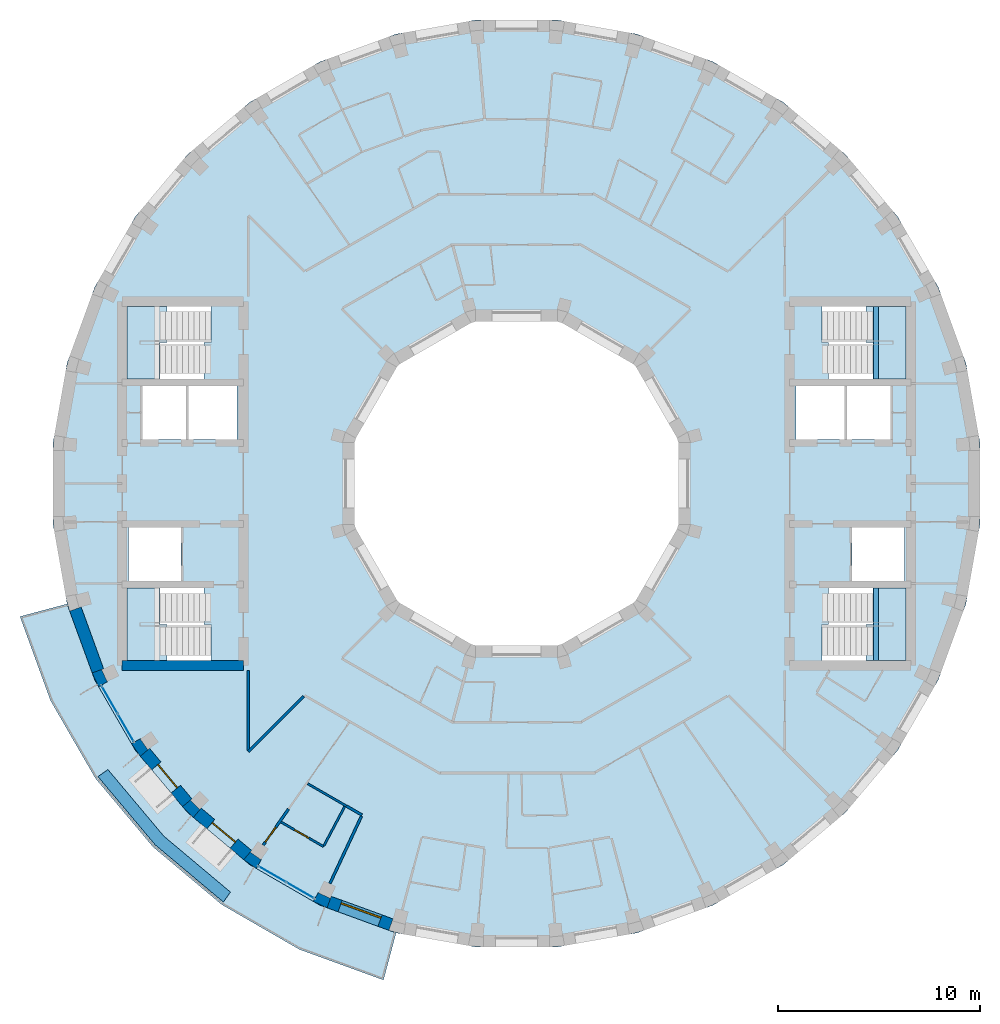
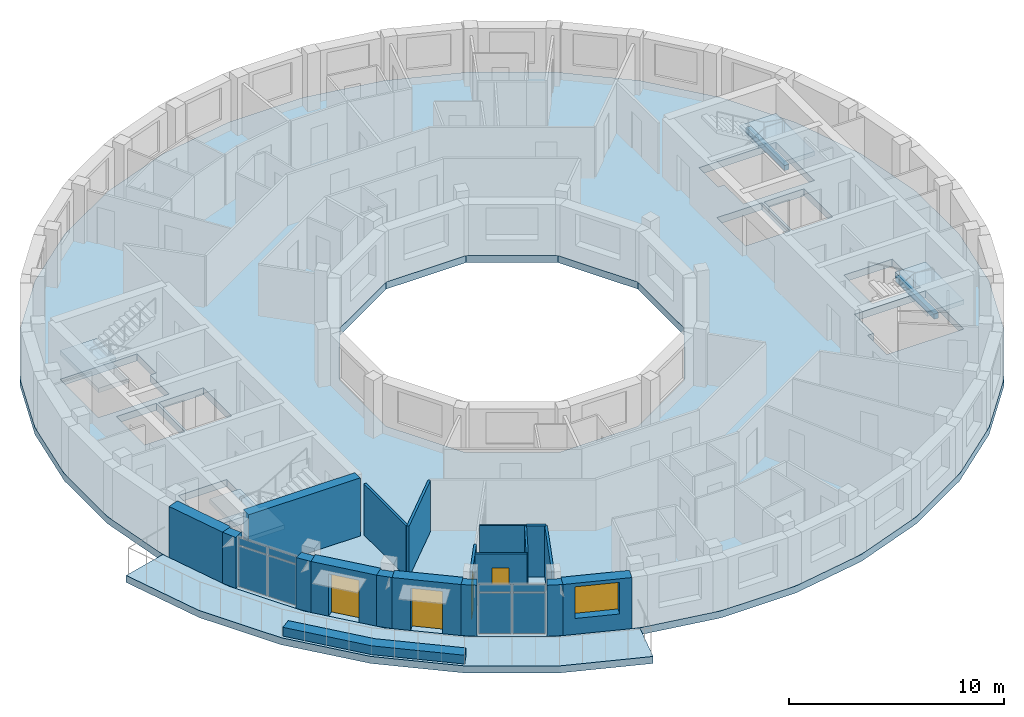
# One storey, part 3 of 12: 19 walls, 8 plates, 6 slabs, 4 doors, 2 beams, 1 window, 5 openings, 6 elements without a shape of their own.
"""IFC4 building model written with IfcOpenShell, lengths in metres."""

from ifc_helpers import new_model, si_unit, direction, frame, frame_2d, origin, origin_2d, place, context, subcontext, project, spatial, polyline, rectangle, outline, extrude, material, layer, layer_set, material_profile, profile_set, type_object, element, fill, aggregate, save


model = new_model("IFC4")

# Units and contexts
model_context = context("Model", 3, precision=1e-05, world=origin(), true_north=direction((0.0, 1.0)))
body_context = subcontext(model_context, "Body", "Model", "MODEL_VIEW")
ifc_project = project(units=[si_unit("LENGTHUNIT", "METRE"), si_unit("AREAUNIT", "SQUARE_METRE"), si_unit("VOLUMEUNIT", "CUBIC_METRE"), si_unit("PLANEANGLEUNIT", "RADIAN"), si_unit("MASSUNIT", "GRAM", prefix="KILO")], contexts=[model_context])

# Site, building, storey
site_placement = place(None, origin())
site = spatial("IfcSite", under=ifc_project, at=site_placement, CompositionType="ELEMENT")
building_placement = place(site_placement, origin())
building = spatial("IfcBuilding", under=site, at=building_placement, Name="Saqina Gate Tower", CompositionType="ELEMENT")
storey_placement = place(building_placement, frame((0.0, 0.0, 262.699951171875)))
storey = spatial("IfcBuildingStorey", under=building, at=storey_placement, Name="L75", CompositionType="ELEMENT", Elevation=262.699951171875)

# Beams
ifc_material_1 = material(Name="Concrete C40/50", Category="concrete")
ifc_material_profile = material_profile(ifc_material_1, rectangle(XDim=0.25, YDim=0.300048828125, at=origin_2d()), Name="STAIR LANDING BEAM")
ifc_profile_set = profile_set([ifc_material_profile], Name="Concrete C40/50")
beam_type = type_object("IfcBeamType", Name="STAIR LANDING BEAM", PredefinedType="BEAM", material=ifc_profile_set)
for number, where, z_axis, x_axis, name in (
    (1, (17.77001953125, 5.175048828125, 1.25), (0.0, 1.0, 0.0), (-1.0, 0.0, 0.0), "EXIT STAIR 1 LANDING BEAM"),
    (2, (17.77001953125, -8.75, 1.25), (0.0, 1.0, 0.0), (-1.0, 0.0, 0.0), "EXIT STAIR 2 LANDING BEAM"),
):
    element("IfcBeam", number, at=place(storey_placement, frame(where, z_axis=z_axis, x_axis=x_axis)), inside=storey, type_object=beam_type, Name=name, PredefinedType="BEAM", context=body_context, shape_type="SweptSolid", body=[
        extrude(rectangle(XDim=0.25, YDim=0.300048828125, at=origin_2d()), origin(), (0.0, 0.0, 1.0), 3.574951171875),
    ])

# Curtain wall, plates
ifc_material_2 = material(Name="Aluminium glazing", Category="aluminium")
ifc_layer_1 = layer(ifc_material_2, 0.159912109375)
ifc_layer_set_1 = layer_set([ifc_layer_1], Name="CWT-4")
curtain_wall_type = type_object("IfcCurtainWallType", Name="CWT-4", PredefinedType="NOTDEFINED", material=ifc_layer_set_1)
curtain_wall_1_placement = place(storey_placement, origin())
curtain_wall_1 = element("IfcCurtainWall", 3, at=curtain_wall_1_placement, inside=storey, type_object=curtain_wall_type, Name="Terrace lounge glazing facet 21", PredefinedType="NOTDEFINED")
ifc_material_3 = material(Name="Glass", Category="glass")
ifc_layer_2 = layer(ifc_material_3, 0.028076171875)
ifc_layer_set_2 = layer_set([ifc_layer_2], Name="CWT-4P")
plate_type = type_object("IfcPlateType", Name="CWT-4P", PredefinedType="CURTAIN_PANEL", material=ifc_layer_set_2)
plate_1_placement = place(storey_placement, frame((-20.11181640625, -10.690185546875, 0.06005859375), z_axis=(0.0, 0.0, 1.0), x_axis=(0.499982449212, -0.8660355365, 0.0)))
plate_1 = element("IfcPlate", 4, at=plate_1_placement, type_object=plate_type, Name="CW4-21 panel 1.1", PredefinedType="CURTAIN_PANEL", context=body_context, shape_type="SweptSolid", body=[
    extrude(rectangle(XDim=1.535888671875, YDim=0.028076171875, at=origin_2d()), origin(), (0.0, 0.0, 1.0), 2.31005859375),
])
plate_2_placement = place(storey_placement, frame((-20.11181640625, -10.690185546875, 2.43017578125), z_axis=(0.0, 0.0, 1.0), x_axis=(0.499982449212, -0.8660355365, 0.0)))
plate_2 = element("IfcPlate", 5, at=plate_2_placement, type_object=plate_type, Name="CW4-21 panel 1.2", PredefinedType="CURTAIN_PANEL", context=body_context, shape_type="SweptSolid", body=[
    extrude(rectangle(XDim=1.535888671875, YDim=0.028076171875, at=origin_2d()), origin(), (0.0, 0.0, 1.0), 0.409912109375),
])
plate_3_placement = place(storey_placement, frame((-19.31396484375, -12.072265625, 0.06005859375), z_axis=(0.0, 0.0, 1.0), x_axis=(0.499982449212, -0.8660355365, 0.0)))
plate_3 = element("IfcPlate", 6, at=plate_3_placement, type_object=plate_type, Name="CW4-21 panel 2.1", PredefinedType="CURTAIN_PANEL", context=body_context, shape_type="SweptSolid", body=[
    extrude(rectangle(XDim=1.535888671875, YDim=0.028076171875, at=origin_2d()), origin(), (0.0, 0.0, 1.0), 2.31005859375),
])
plate_4_placement = place(storey_placement, frame((-19.31396484375, -12.072265625, 2.43017578125), z_axis=(0.0, 0.0, 1.0), x_axis=(0.499982449212, -0.8660355365, 0.0)))
plate_4 = element("IfcPlate", 7, at=plate_4_placement, type_object=plate_type, Name="CW4-21 panel 2.2", PredefinedType="CURTAIN_PANEL", context=body_context, shape_type="SweptSolid", body=[
    extrude(rectangle(XDim=1.535888671875, YDim=0.028076171875, at=origin_2d()), origin(), (0.0, 0.0, 1.0), 0.409912109375),
])
aggregate(curtain_wall_1, [plate_1, plate_2, plate_3, plate_4])

curtain_wall_2_placement = place(storey_placement, origin())
curtain_wall_2 = element("IfcCurtainWall", 8, at=curtain_wall_2_placement, inside=storey, type_object=curtain_wall_type, Name="Terrace lounge glazing facet 24", PredefinedType="NOTDEFINED")
plate_5_placement = place(storey_placement, frame((-12.072265625, -19.31396484375, 0.06005859375), z_axis=(0.0, 0.0, 1.0), x_axis=(0.8660355365, -0.499982449212, 0.0)))
plate_5 = element("IfcPlate", 9, at=plate_5_placement, type_object=plate_type, Name="CW4-24 panel 1.1", PredefinedType="CURTAIN_PANEL", context=body_context, shape_type="SweptSolid", body=[
    extrude(rectangle(XDim=1.535888671875, YDim=0.028076171875, at=origin_2d()), origin(), (0.0, 0.0, 1.0), 2.31005859375),
])
plate_6_placement = place(storey_placement, frame((-12.072265625, -19.31396484375, 2.43017578125), z_axis=(0.0, 0.0, 1.0), x_axis=(0.8660355365, -0.499982449212, 0.0)))
plate_6 = element("IfcPlate", 10, at=plate_6_placement, type_object=plate_type, Name="CW4-24 panel 1.2", PredefinedType="CURTAIN_PANEL", context=body_context, shape_type="SweptSolid", body=[
    extrude(rectangle(XDim=1.535888671875, YDim=0.028076171875, at=origin_2d()), origin(), (0.0, 0.0, 1.0), 0.409912109375),
])
plate_7_placement = place(storey_placement, frame((-10.690185546875, -20.11181640625, 0.06005859375), z_axis=(0.0, 0.0, 1.0), x_axis=(0.8660355365, -0.499982449212, 0.0)))
plate_7 = element("IfcPlate", 11, at=plate_7_placement, type_object=plate_type, Name="CW4-24 panel 2.1", PredefinedType="CURTAIN_PANEL", context=body_context, shape_type="SweptSolid", body=[
    extrude(rectangle(XDim=1.535888671875, YDim=0.028076171875, at=origin_2d()), origin(), (0.0, 0.0, 1.0), 2.31005859375),
])
plate_8_placement = place(storey_placement, frame((-10.690185546875, -20.11181640625, 2.43017578125), z_axis=(0.0, 0.0, 1.0), x_axis=(0.8660355365, -0.499982449212, 0.0)))
plate_8 = element("IfcPlate", 12, at=plate_8_placement, type_object=plate_type, Name="CW4-24 panel 2.2", PredefinedType="CURTAIN_PANEL", context=body_context, shape_type="SweptSolid", body=[
    extrude(rectangle(XDim=1.535888671875, YDim=0.028076171875, at=origin_2d()), origin(), (0.0, 0.0, 1.0), 0.409912109375),
])
aggregate(curtain_wall_2, [plate_5, plate_6, plate_7, plate_8])

# Stair, slab
ifc_material_4 = material(Name="Concrete C40/50", Category="concrete")
stair_type = type_object("IfcStairType", Name="EXIT STAIR", PredefinedType="HALF_TURN_STAIR", material=ifc_material_4)
stair_1_placement = place(storey_placement, origin())
stair_1 = element("IfcStair", 13, at=stair_1_placement, inside=storey, type_object=stair_type, Name="EXIT STAIR 1", PredefinedType="HALF_TURN_STAIR")
ifc_material_5 = material(Name="Concrete C40/50", Category="concrete")
ifc_layer_3 = layer(ifc_material_5, 0.25)
ifc_layer_set_3 = layer_set([ifc_layer_3], Name="Concrete C40/50")
slab_type_1 = type_object("IfcSlabType", Name="EXIT STAIR LANDING", PredefinedType="LANDING", material=ifc_layer_set_3)
slab_1_placement = place(storey_placement, frame((0.0, 0.0, 1.400146484375)))
slab_1 = element("IfcSlab", 14, at=slab_1_placement, type_object=slab_type_1, Name="EXIT STAIR 1 LANDING 1", PredefinedType="LANDING", context=body_context, shape_type="SweptSolid", body=[
    extrude(outline(polyline([(19.25, 8.75), (19.25, 5.175048828125), (17.614990234375, 5.175048828125), (17.614990234375, 6.96240234375), (17.284423828125, 6.96240234375), (17.284423828125, 8.75), (17.614990234375, 8.75), (17.6201171875, 8.75), (19.25, 8.75)])), origin(), (0.0, 0.0, 1.0), 0.25),
])
aggregate(stair_1, [slab_1])

stair_2_placement = place(storey_placement, origin())
stair_2 = element("IfcStair", 15, at=stair_2_placement, inside=storey, type_object=stair_type, Name="EXIT STAIR 2", PredefinedType="HALF_TURN_STAIR")
slab_2_placement = place(storey_placement, frame((0.0, 0.0, 1.400146484375)))
slab_2 = element("IfcSlab", 16, at=slab_2_placement, type_object=slab_type_1, Name="EXIT STAIR 2 LANDING 1", PredefinedType="LANDING", context=body_context, shape_type="SweptSolid", body=[
    extrude(outline(polyline([(17.284423828125, -8.75), (17.284423828125, -6.96240234375), (17.614990234375, -6.96240234375), (17.614990234375, -5.175048828125), (19.25, -5.175048828125), (19.25, -8.75), (17.6201171875, -8.75), (17.614990234375, -8.75), (17.284423828125, -8.75)])), origin(), (0.0, 0.0, 1.0), 0.25),
])
aggregate(stair_2, [slab_2])

stair_3_placement = place(storey_placement, origin())
stair_3 = element("IfcStair", 17, at=stair_3_placement, inside=storey, type_object=stair_type, Name="EXIT STAIR 3", PredefinedType="HALF_TURN_STAIR")
slab_3_placement = place(storey_placement, frame((0.0, 0.0, 1.400146484375)))
slab_3 = element("IfcSlab", 18, at=slab_3_placement, type_object=slab_type_1, Name="EXIT STAIR 3 LANDING 1", PredefinedType="LANDING", context=body_context, shape_type="SweptSolid", body=[
    extrude(outline(polyline([(-17.614990234375, 5.175048828125), (-19.25, 5.175048828125), (-19.25, 8.75), (-17.6201171875, 8.75), (-17.614990234375, 8.75), (-17.284423828125, 8.75), (-17.284423828125, 6.96240234375), (-17.614990234375, 6.96240234375), (-17.614990234375, 5.175048828125)])), origin(), (0.0, 0.0, 1.0), 0.25),
])
aggregate(stair_3, [slab_3])

stair_4_placement = place(storey_placement, origin())
stair_4 = element("IfcStair", 19, at=stair_4_placement, inside=storey, type_object=stair_type, Name="EXIT STAIR 4", PredefinedType="HALF_TURN_STAIR")
slab_4_placement = place(storey_placement, frame((0.0, 0.0, 1.400146484375)))
slab_4 = element("IfcSlab", 20, at=slab_4_placement, type_object=slab_type_1, Name="EXIT STAIR 4 LANDING 1", PredefinedType="LANDING", context=body_context, shape_type="SweptSolid", body=[
    extrude(outline(polyline([(-17.284423828125, -6.96240234375), (-17.284423828125, -8.75), (-17.614990234375, -8.75), (-17.6201171875, -8.75), (-19.25, -8.75), (-19.25, -5.175048828125), (-17.614990234375, -5.175048828125), (-17.614990234375, -6.96240234375), (-17.284423828125, -6.96240234375)])), origin(), (0.0, 0.0, 1.0), 0.25),
])
aggregate(stair_4, [slab_4])

# Slabs
ifc_material_6 = material(Name="Concrete C40/50", Category="concrete")
ifc_layer_4 = layer(ifc_material_6, 0.39990234375)
ifc_layer_set_4 = layer_set([ifc_layer_4], Name="Concrete C40/50")
slab_type_2 = type_object("IfcSlabType", Name="STR-POST-TENSIONED FLAT PLATE FLOOR-400", PredefinedType="FLOOR", material=ifc_layer_set_4)
slab_5_placement = place(storey_placement, frame((0.0, 0.0, -0.39990234375)))
element("IfcSlab", 21, at=slab_5_placement, inside=storey, type_object=slab_type_2, Name="L75-SLB01", PredefinedType="FLOOR", context=body_context, shape_type="SweptSolid", body=[
    extrude(outline(polyline([(22.21630859375, -5.952880859375), (22.91259765625, -2.004638671875), (22.91259765625, 2.004638671875), (22.21630859375, 5.952880859375), (20.844970703125, 9.72021484375), (18.840576171875, 13.192138671875), (16.263427734375, 16.263427734375), (13.192138671875, 18.840576171875), (9.72021484375, 20.844970703125), (5.952880859375, 22.21630859375), (2.004638671875, 22.91259765625), (-2.004638671875, 22.91259765625), (-5.952880859375, 22.21630859375), (-9.72021484375, 20.844970703125), (-13.192138671875, 18.840576171875), (-16.263427734375, 16.263427734375), (-18.840576171875, 13.192138671875), (-20.844970703125, 9.72021484375), (-22.21630859375, 5.952880859375), (-22.91259765625, 2.004638671875), (-22.91259765625, -2.004638671875), (-22.21630859375, -5.952880859375), (-20.844970703125, -9.72021484375), (-18.840576171875, -13.192138671875), (-16.263427734375, -16.263427734375), (-13.192138671875, -18.840576171875), (-9.72021484375, -20.844970703125), (-5.952880859375, -22.21630859375), (-2.004638671875, -22.91259765625), (2.004638671875, -22.91259765625), (5.952880859375, -22.21630859375), (9.72021484375, -20.844970703125), (13.192138671875, -18.840576171875), (16.263427734375, -16.263427734375), (18.840576171875, -13.192138671875), (20.844970703125, -9.72021484375), (22.21630859375, -5.952880859375)]), holes=[polyline([(2.1435546875, 8.0), (5.8564453125, 5.8564453125), (8.0, 2.1435546875), (8.0, -2.1435546875), (5.8564453125, -5.8564453125), (2.1435546875, -8.0), (-2.1435546875, -8.0), (-5.8564453125, -5.8564453125), (-8.0, -2.1435546875), (-8.0, 2.1435546875), (-5.8564453125, 5.8564453125), (-2.1435546875, 8.0), (2.1435546875, 8.0)]), polyline([(-15.10498046875, -8.75), (-19.25, -8.75), (-19.25, -6.96240234375), (-19.25, -5.175048828125), (-15.435546875, -5.175048828125), (-15.435546875, -6.96240234375), (-15.10498046875, -6.96240234375), (-15.10498046875, -8.75)]), polyline([(-16.590087890625, -2.175048828125), (-16.590087890625, -4.824951171875), (-19.18994140625, -4.824951171875), (-19.18994140625, -2.175048828125), (-16.590087890625, -2.175048828125)]), polyline([(-16.340087890625, 4.824951171875), (-16.340087890625, 2.175048828125), (-18.5, 2.175048828125), (-18.5, 4.824951171875), (-16.340087890625, 4.824951171875)]), polyline([(-13.81005859375, 4.824951171875), (-13.81005859375, 2.175048828125), (-16.219970703125, 2.175048828125), (-16.219970703125, 4.824951171875), (-13.81005859375, 4.824951171875)]), polyline([(-19.25, 6.96240234375), (-19.25, 8.75), (-15.10498046875, 8.75), (-15.10498046875, 6.96240234375), (-15.435546875, 6.96240234375), (-15.435546875, 5.175048828125), (-19.25, 5.175048828125), (-19.25, 6.96240234375)]), polyline([(15.10498046875, -8.75), (15.10498046875, -6.96240234375), (15.435546875, -6.96240234375), (15.435546875, -5.175048828125), (19.25, -5.175048828125), (19.25, -6.96240234375), (19.25, -8.75), (15.10498046875, -8.75)]), polyline([(19.18994140625, -2.175048828125), (19.18994140625, -4.824951171875), (16.590087890625, -4.824951171875), (16.590087890625, -2.175048828125), (19.18994140625, -2.175048828125)]), polyline([(16.219970703125, 4.824951171875), (16.219970703125, 2.175048828125), (13.81005859375, 2.175048828125), (13.81005859375, 4.824951171875), (16.219970703125, 4.824951171875)]), polyline([(18.5, 4.824951171875), (18.5, 2.175048828125), (16.340087890625, 2.175048828125), (16.340087890625, 4.824951171875), (18.5, 4.824951171875)]), polyline([(15.435546875, 6.96240234375), (15.10498046875, 6.96240234375), (15.10498046875, 8.75), (19.25, 8.75), (19.25, 6.96240234375), (19.25, 5.175048828125), (15.435546875, 5.175048828125), (15.435546875, 6.96240234375)])]), origin(), (0.0, 0.0, 1.0), 0.39990234375),
])
ifc_material_7 = material(Name="Concrete C40/50", Category="concrete")
ifc_layer_5 = layer(ifc_material_7, 0.39990234375)
ifc_layer_set_5 = layer_set([ifc_layer_5], Name="Concrete C40/50")
slab_type_3 = type_object("IfcSlabType", Name="STR-POST-TENSIONED FLAT PLATE TERRACE-400", PredefinedType="FLOOR", material=ifc_layer_set_5)
slab_6_placement = place(storey_placement, frame((0.0, 0.0, -0.39990234375)))
element("IfcSlab", 22, at=slab_6_placement, inside=storey, type_object=slab_type_3, Name="L75-TRS01", PredefinedType="FLOOR", context=body_context, shape_type="SweptSolid", body=[
    extrude(outline(polyline([(-22.21630859375, -5.952880859375), (-20.844970703125, -9.72021484375), (-18.840576171875, -13.192138671875), (-16.263427734375, -16.263427734375), (-13.192138671875, -18.840576171875), (-9.72021484375, -20.844970703125), (-5.952880859375, -22.21630859375), (-6.576416015625, -24.54345703125), (-10.73828125, -23.028564453125), (-14.57421875, -20.81396484375), (-17.967041015625, -17.967041015625), (-20.81396484375, -14.57421875), (-23.028564453125, -10.73828125), (-24.54345703125, -6.576416015625), (-22.21630859375, -5.952880859375)])), origin(), (0.0, 0.0, 1.0), 0.39990234375),
])

# Walls
ifc_material_8 = material(Name="Brick masonry (buff)", Category="masonry")
wall_type_1 = type_object("IfcWallType", Name="BRICK PIER COPING BUFF", PredefinedType="SOLIDWALL", material=ifc_material_8)
wall_1_placement = place(storey_placement, origin())
element("IfcWall", 23, at=wall_1_placement, inside=storey, type_object=wall_type_1, Name="Pier cap L75 column 21", PredefinedType="SOLIDWALL", context=body_context, shape_type="SweptSolid", body=[
    extrude(outline(polyline([(-20.974609375, -9.3642578125), (-20.65576171875, -10.048095703125), (-20.135986328125, -9.748291015625), (-20.23193359375, -9.79296875), (-20.506591796875, -9.203857421875), (-20.410888671875, -9.1591796875), (-20.974609375, -9.3642578125)])), origin(), (0.0, 0.0, 1.0), 2.900146484375),
])
wall_2_placement = place(storey_placement, origin())
element("IfcWall", 24, at=wall_2_placement, inside=storey, type_object=wall_type_1, Name="Pier cap L75 column 22", PredefinedType="SOLIDWALL", context=body_context, shape_type="SweptSolid", body=[
    extrude(outline(polyline([(-19.02978515625, -12.8642578125), (-18.59716796875, -13.482421875), (-18.137451171875, -13.0966796875), (-18.22412109375, -13.157470703125), (-18.596923828125, -12.625), (-18.51025390625, -12.564208984375), (-19.02978515625, -12.8642578125)])), origin(), (0.0, 0.0, 1.0), 2.900146484375),
])
wall_3_placement = place(storey_placement, origin())
element("IfcWall", 25, at=wall_3_placement, inside=storey, type_object=wall_type_1, Name="Pier cap L75 column 23", PredefinedType="SOLIDWALL", context=body_context, shape_type="SweptSolid", body=[
    extrude(outline(polyline([(-15.973388671875, -16.5068359375), (-15.587646484375, -16.04736328125), (-15.662353515625, -16.1220703125), (-16.1220703125, -15.662353515625), (-16.04736328125, -15.587646484375), (-16.5068359375, -15.973388671875), (-15.973388671875, -16.5068359375)])), origin(), (0.0, 0.0, 1.0), 2.900146484375),
])
wall_4_placement = place(storey_placement, origin())
element("IfcWall", 26, at=wall_4_placement, inside=storey, type_object=wall_type_1, Name="Pier cap L75 column 24", PredefinedType="SOLIDWALL", context=body_context, shape_type="SweptSolid", body=[
    extrude(outline(polyline([(-12.8642578125, -19.02978515625), (-12.564208984375, -18.51025390625), (-12.625, -18.596923828125), (-13.157470703125, -18.22412109375), (-13.0966796875, -18.137451171875), (-13.482421875, -18.59716796875), (-12.8642578125, -19.02978515625)])), origin(), (0.0, 0.0, 1.0), 2.900146484375),
])
wall_5_placement = place(storey_placement, origin())
element("IfcWall", 27, at=wall_5_placement, inside=storey, type_object=wall_type_1, Name="Pier cap L75 column 25", PredefinedType="SOLIDWALL", context=body_context, shape_type="SweptSolid", body=[
    extrude(outline(polyline([(-10.048095703125, -20.65576171875), (-9.3642578125, -20.974609375), (-9.1591796875, -20.410888671875), (-9.203857421875, -20.506591796875), (-9.79296875, -20.23193359375), (-9.748291015625, -20.135986328125), (-10.048095703125, -20.65576171875)])), origin(), (0.0, 0.0, 1.0), 2.900146484375),
])

# Wall, opening, door
ifc_material_9 = material(Name="Brick masonry (buff)", Category="masonry")
ifc_layer_6 = layer(ifc_material_9, 0.60009765625)
ifc_layer_set_6 = layer_set([ifc_layer_6], Name="FW-BRICK-BUFF")
wall_type_2 = type_object("IfcWallType", Name="FW-BRICK-BUFF", PredefinedType="SOLIDWALL", material=ifc_layer_set_6)
wall_6_placement = place(storey_placement, frame((-18.3671875, -13.28955078125, 0.0), z_axis=(0.0, 0.0, 1.0), x_axis=(0.64277291405, -0.766056773982, 0.0)))
wall_6 = element("IfcWall", 28, at=wall_6_placement, inside=storey, type_object=wall_type_2, Name="Facade wall L75 facet 22", PredefinedType="SOLIDWALL", context=body_context, shape_type="SweptSolid", body=[
    extrude(rectangle(XDim=3.251708984375, YDim=0.60009765625, at=frame_2d((1.6259765625, 0.0))), origin(), (0.0, 0.0, 1.0), 2.900146484375),
])
opening_1_placement = place(wall_6_placement, frame((0.875732421875, 0.0, 0.0)))
opening_1 = element("IfcOpeningElement", 29, at=opening_1_placement, cuts=wall_6, Name="Opening G22-D80", PredefinedType="OPENING", context=body_context, shape_type="SweptSolid", body=[
    extrude(rectangle(XDim=1.5, YDim=2.39990234375, at=frame_2d((0.75, 1.199951171875))), frame((0.0, 0.31201171875, 0.0), z_axis=(0.0, -1.0, 0.0), x_axis=(1.0, 0.0, 0.0)), (0.0, 0.0, 1.0), 0.6240234375),
])
ifc_material_10 = material(Name="Aluminium glazing", Category="aluminium")
door_type_1 = type_object("IfcDoorType", Name="GD-D", OperationType="DOUBLE_DOOR_SINGLE_SWING", PredefinedType="DOOR", material=ifc_material_10)
door_1_placement = place(opening_1_placement, origin())
door_1 = element("IfcDoor", 30, at=door_1_placement, inside=storey, type_object=door_type_1, Name="Terrace door L75 facet 22", OperationType="DOUBLE_DOOR_SINGLE_SWING", OverallHeight=2.39990234375, OverallWidth=1.5, PredefinedType="DOOR", context=body_context, shape_type="SweptSolid", body=[
    extrude(rectangle(XDim=1.5, YDim=2.39990234375, at=frame_2d((0.75, 1.199951171875))), frame((0.0, 0.125, 0.0), z_axis=(0.0, -1.0, 0.0), x_axis=(1.0, 0.0, 0.0)), (0.0, 0.0, 1.0), 0.050048828125),
])
fill(opening_1, door_1)

wall_7_placement = place(storey_placement, frame((-15.780517578125, -16.277099609375, 0.0), z_axis=(0.0, 0.0, 1.0), x_axis=(0.766056773982, -0.64277291405, 0.0)))
wall_7 = element("IfcWall", 31, at=wall_7_placement, inside=storey, type_object=wall_type_2, Name="Facade wall L75 facet 23", PredefinedType="SOLIDWALL", context=body_context, shape_type="SweptSolid", body=[
    extrude(rectangle(XDim=3.251708984375, YDim=0.60009765625, at=frame_2d((1.6259765625, 0.0))), origin(), (0.0, 0.0, 1.0), 2.900146484375),
])
opening_2_placement = place(wall_7_placement, frame((0.875732421875, 0.0, 0.0)))
opening_2 = element("IfcOpeningElement", 32, at=opening_2_placement, cuts=wall_7, Name="Opening G22-D81", PredefinedType="OPENING", context=body_context, shape_type="SweptSolid", body=[
    extrude(rectangle(XDim=1.5, YDim=2.39990234375, at=frame_2d((0.75, 1.199951171875))), frame((0.0, 0.31201171875, 0.0), z_axis=(0.0, -1.0, 0.0), x_axis=(1.0, 0.0, 0.0)), (0.0, 0.0, 1.0), 0.6240234375),
])
door_2_placement = place(opening_2_placement, origin())
door_2 = element("IfcDoor", 33, at=door_2_placement, inside=storey, type_object=door_type_1, Name="Terrace door L75 facet 23", OperationType="DOUBLE_DOOR_SINGLE_SWING", OverallHeight=2.39990234375, OverallWidth=1.5, PredefinedType="DOOR", context=body_context, shape_type="SweptSolid", body=[
    extrude(rectangle(XDim=1.5, YDim=2.39990234375, at=frame_2d((0.75, 1.199951171875))), frame((0.0, 0.125, 0.0), z_axis=(0.0, -1.0, 0.0), x_axis=(1.0, 0.0, 0.0)), (0.0, 0.0, 1.0), 0.050048828125),
])
fill(opening_2, door_2)

# Wall, opening, window
wall_8_placement = place(storey_placement, frame((-9.26171875, -20.692626953125, 0.0), z_axis=(0.0, 0.0, 1.0), x_axis=(0.939679383794, -0.342056509473, 0.0)))
wall_8 = element("IfcWall", 34, at=wall_8_placement, inside=storey, type_object=wall_type_2, Name="Facade wall L75 facet 25", PredefinedType="SOLIDWALL", context=body_context, shape_type="SweptSolid", body=[
    extrude(rectangle(XDim=3.251708984375, YDim=0.60009765625, at=frame_2d((1.6259765625, 0.0))), origin(), (0.0, 0.0, 1.0), 2.900146484375),
])
opening_3_placement = place(wall_8_placement, frame((0.57568359375, 0.0, 0.89990234375)))
opening_3 = element("IfcOpeningElement", 35, at=opening_3_placement, cuts=wall_8, Name="Opening G22-W14", PredefinedType="OPENING", context=body_context, shape_type="SweptSolid", body=[
    extrude(rectangle(XDim=2.10009765625, YDim=1.800048828125, at=frame_2d((1.050048828125, 0.89990234375))), frame((0.0, 0.31201171875, 0.0), z_axis=(0.0, -1.0, 0.0), x_axis=(1.0, 0.0, 0.0)), (0.0, 0.0, 1.0), 0.6240234375),
])
ifc_material_11 = material(Name="Aluminium glazing", Category="aluminium")
window_type = type_object("IfcWindowType", Name="WN-D", PartitioningType="SINGLE_PANEL", PredefinedType="WINDOW", material=ifc_material_11)
window_placement = place(opening_3_placement, origin())
window = element("IfcWindow", 36, at=window_placement, inside=storey, type_object=window_type, Name="Window L75 facet 25", OverallHeight=1.800048828125, OverallWidth=2.10009765625, PartitioningType="SINGLE_PANEL", PredefinedType="WINDOW", context=body_context, shape_type="SweptSolid", body=[
    extrude(rectangle(XDim=2.10009765625, YDim=1.800048828125, at=frame_2d((1.050048828125, 0.89990234375))), frame((0.0, 0.179931640625, 0.0), z_axis=(0.0, -1.0, 0.0), x_axis=(1.0, 0.0, 0.0)), (0.0, 0.0, 1.0), 0.06005859375),
])
fill(opening_3, window)

# Wall
ifc_material_12 = material(Name="Glazed ceramic tile", Category="ceramic")
ifc_layer_7 = layer(ifc_material_12, 0.60009765625)
ifc_layer_set_7 = layer_set([ifc_layer_7], Name="FW-TILE")
wall_type_3 = type_object("IfcWallType", Name="FW-TILE", PredefinedType="SOLIDWALL", material=ifc_layer_set_7)
wall_9_placement = place(storey_placement, frame((-21.804931640625, -6.2060546875, 0.0), z_axis=(0.0, 0.0, 1.0), x_axis=(0.342056509473, -0.939679383794, 0.0)))
element("IfcWall", 37, at=wall_9_placement, inside=storey, type_object=wall_type_3, Name="Facade wall L75 facet 20", PredefinedType="SOLIDWALL", context=body_context, shape_type="SweptSolid", body=[
    extrude(rectangle(XDim=3.251708984375, YDim=0.60009765625, at=frame_2d((1.6259765625, 0.0))), origin(), (0.0, 0.0, 1.0), 2.900146484375),
])

# Wall, opening, door
ifc_material_13 = material(Name="Gypsum board on steel studs, 100 mm", Category="steel")
ifc_layer_8 = layer(ifc_material_13, 0.10009765625)
ifc_layer_set_8 = layer_set([ifc_layer_8], Name="PARTITION 100")
wall_type_4 = type_object("IfcWallType", Name="PARTITION 100", PredefinedType="PARTITIONING", material=ifc_layer_set_8)
wall_10_placement = place(storey_placement, frame((-11.638916015625, -16.7353515625, 0.0), z_axis=(0.0, 0.0, 1.0), x_axis=(0.866093196455, -0.499882561262, 0.0)))
wall_10 = element("IfcWall", 38, at=wall_10_placement, inside=storey, type_object=wall_type_4, Name="PARTITION PW3-16", PredefinedType="PARTITIONING", context=body_context, shape_type="SweptSolid", body=[
    extrude(rectangle(XDim=2.419921875, YDim=0.10009765625, at=frame_2d((1.2099609375, 0.0))), origin(), (0.0, 0.0, 1.0), 2.900146484375),
])
opening_4_placement = place(wall_10_placement, frame((0.777587890625, 0.0, 0.0)))
opening_4 = element("IfcOpeningElement", 39, at=opening_4_placement, cuts=wall_10, Name="Opening G22-D28", PredefinedType="OPENING", context=body_context, shape_type="SweptSolid", body=[
    extrude(rectangle(XDim=0.800048828125, YDim=2.10009765625, at=frame_2d((0.39990234375, 1.050048828125))), frame((0.0, 0.06201171875, 0.0), z_axis=(0.0, -1.0, 0.0), x_axis=(1.0, 0.0, 0.0)), (0.0, 0.0, 1.0), 0.1240234375),
])
ifc_material_14 = material(Name="Timber door leaf, 800 mm", Category="wood")
door_type_2 = type_object("IfcDoorType", Name="DOOR 800 TIMBER", OperationType="SINGLE_SWING_LEFT", PredefinedType="DOOR", material=ifc_material_14)
door_3_placement = place(opening_4_placement, frame((0.800048828125, 0.0, 0.0), z_axis=(0.0, 0.0, 1.0), x_axis=(-1.0, 0.0, 0.0)))
door_3 = element("IfcDoor", 40, at=door_3_placement, inside=storey, type_object=door_type_2, Name="DOOR G22-D28", OperationType="SINGLE_SWING_RIGHT", OverallHeight=2.10009765625, OverallWidth=0.800048828125, PredefinedType="DOOR", context=body_context, shape_type="SweptSolid", body=[
    extrude(rectangle(XDim=0.800048828125, YDim=2.10009765625, at=frame_2d((0.39990234375, 1.050048828125))), frame((0.0, 0.02490234375, 0.0), z_axis=(0.0, -1.0, 0.0), x_axis=(1.0, 0.0, 0.0)), (0.0, 0.0, 1.0), 0.050048828125),
])
fill(opening_4, door_3)

# Walls
wall_11_placement = place(storey_placement, frame((-10.32421875, -14.837890625, 0.0), z_axis=(0.0, 0.0, 1.0), x_axis=(0.866035918664, -0.499981787252, 0.0)))
element("IfcWall", 41, at=wall_11_placement, inside=storey, type_object=wall_type_4, Name="PARTITION PW3-17", PredefinedType="PARTITIONING", context=body_context, shape_type="SweptSolid", body=[
    extrude(rectangle(XDim=2.2001953125, YDim=0.10009765625, at=frame_2d((1.10009765625, 0.0))), origin(), (0.0, 0.0, 1.0), 2.900146484375),
])
wall_12_placement = place(storey_placement, frame((-9.51953125, -17.90087890625, 0.0), z_axis=(0.0, 0.0, 1.0), x_axis=(0.469644416179, 0.882855663374, 0.0)))
element("IfcWall", 42, at=wall_12_placement, inside=storey, type_object=wall_type_4, Name="PARTITION PW3-43", PredefinedType="PARTITIONING", context=body_context, shape_type="SweptSolid", body=[
    extrude(rectangle(XDim=2.18896484375, YDim=0.10009765625, at=frame_2d((1.094482421875, 0.0))), origin(), (0.0, 0.0, 1.0), 2.900146484375),
])
ifc_material_15 = material(Name="Gypsum board on steel studs, 125 mm, fire rated", Category="steel")
ifc_layer_9 = layer(ifc_material_15, 0.125)
ifc_layer_set_9 = layer_set([ifc_layer_9], Name="PARTITION EI 30 125")
wall_type_5 = type_object("IfcWallType", Name="PARTITION EI 30 125", PredefinedType="PARTITIONING", material=ifc_layer_set_9)
wall_13_placement = place(storey_placement, frame((-8.418701171875, -15.93798828125, 0.0), z_axis=(0.0, 0.0, 1.0), x_axis=(0.866053945006, -0.499950561895, 0.0)))
element("IfcWall", 43, at=wall_13_placement, inside=storey, type_object=wall_type_5, Name="PARTITION PW1-10", PredefinedType="PARTITIONING", context=body_context, shape_type="SweptSolid", body=[
    extrude(rectangle(XDim=0.8955078125, YDim=0.125, at=frame_2d((0.44775390625, 0.0))), origin(), (0.0, 0.0, 1.0), 2.900146484375),
])
wall_14_placement = place(storey_placement, frame((-13.25, -13.25, 0.0), z_axis=(0.0, 0.0, 1.0), x_axis=(0.707106781187, 0.707106781187, 0.0)))
element("IfcWall", 44, at=wall_14_placement, inside=storey, type_object=wall_type_5, Name="PARTITION PW1-30", PredefinedType="PARTITIONING", context=body_context, shape_type="SweptSolid", body=[
    extrude(rectangle(XDim=3.8603515625, YDim=0.125, at=frame_2d((1.93017578125, 0.0))), origin(), (0.0, 0.0, 1.0), 2.900146484375),
])

# Wall, opening, door
wall_15_placement = place(storey_placement, frame((-12.512939453125, -17.86962890625, 0.0), z_axis=(0.0, 0.0, 1.0), x_axis=(0.573296063173, 0.819348292212, 0.0)))
wall_15 = element("IfcWall", 45, at=wall_15_placement, inside=storey, type_object=wall_type_5, Name="PARTITION PW1-34", PredefinedType="PARTITIONING", context=body_context, shape_type="SweptSolid", body=[
    extrude(rectangle(XDim=2.16796875, YDim=0.125, at=frame_2d((1.083984375, 0.0))), origin(), (0.0, 0.0, 1.0), 2.900146484375),
])
opening_5_placement = place(wall_15_placement, frame((0.1708984375, 0.0, 0.0)))
opening_5 = element("IfcOpeningElement", 46, at=opening_5_placement, cuts=wall_15, Name="Opening G22-D27", PredefinedType="OPENING", context=body_context, shape_type="SweptSolid", body=[
    extrude(rectangle(XDim=0.89990234375, YDim=2.10009765625, at=frame_2d((0.449951171875, 1.050048828125))), frame((0.0, 0.074462890625, 0.0), z_axis=(0.0, -1.0, 0.0), x_axis=(1.0, 0.0, 0.0)), (0.0, 0.0, 1.0), 0.14892578125),
])
ifc_material_16 = material(Name="Fire door leaf EI 30, 900 mm")
door_type_3 = type_object("IfcDoorType", Name="DOOR 900 EI 30", OperationType="SINGLE_SWING_LEFT", PredefinedType="DOOR", material=ifc_material_16)
door_4_placement = place(opening_5_placement, origin())
door_4 = element("IfcDoor", 47, at=door_4_placement, inside=storey, type_object=door_type_3, Name="DOOR G22-D27", OperationType="SINGLE_SWING_LEFT", OverallHeight=2.10009765625, OverallWidth=0.89990234375, PredefinedType="DOOR", context=body_context, shape_type="SweptSolid", body=[
    extrude(rectangle(XDim=0.89990234375, YDim=2.10009765625, at=frame_2d((0.449951171875, 1.050048828125))), frame((0.0, 0.02490234375, 0.0), z_axis=(0.0, -1.0, 0.0), x_axis=(1.0, 0.0, 0.0)), (0.0, 0.0, 1.0), 0.050048828125),
])
fill(opening_5, door_4)

# Walls
wall_16_placement = place(storey_placement, frame((-9.22021484375, -19.770751953125, 0.0), z_axis=(0.0, 0.0, 1.0), x_axis=(0.4238971674, 0.90571032426, 0.0)))
element("IfcWall", 48, at=wall_16_placement, inside=storey, type_object=wall_type_5, Name="PARTITION PW1-37", PredefinedType="PARTITIONING", context=body_context, shape_type="SweptSolid", body=[
    extrude(rectangle(XDim=3.671630859375, YDim=0.125, at=frame_2d((1.8359375, 0.0))), origin(), (0.0, 0.0, 1.0), 2.900146484375),
])
wall_17_placement = place(storey_placement, frame((-13.25, -13.1875, 0.0), z_axis=(0.0, 0.0, 1.0), x_axis=(0.0, 1.0, 0.0)))
element("IfcWall", 49, at=wall_17_placement, inside=storey, type_object=wall_type_5, Name="PARTITION PW1-44", PredefinedType="PARTITIONING", context=body_context, shape_type="SweptSolid", body=[
    extrude(rectangle(XDim=3.9375, YDim=0.125, at=frame_2d((1.96875, 0.0))), origin(), (0.0, 0.0, 1.0), 2.900146484375),
])
ifc_material_17 = material(Name="Brick masonry (red)", Category="masonry")
ifc_layer_10 = layer(ifc_material_17, 0.60009765625)
ifc_layer_set_10 = layer_set([ifc_layer_10], Name="PL-PLANTER")
wall_type_6 = type_object("IfcWallType", Name="PL-PLANTER", PredefinedType="PARAPET", material=ifc_layer_set_10)
wall_18_placement = place(storey_placement, origin())
element("IfcWall", 50, at=wall_18_placement, inside=storey, type_object=wall_type_6, Name="Planter L75", PredefinedType="PARAPET", context=body_context, shape_type="SweptSolid", body=[
    extrude(outline(polyline([(-20.690673828125, -14.48779296875), (-17.860595703125, -17.860595703125), (-14.48779296875, -20.690673828125), (-14.142333984375, -20.197265625), (-17.4345703125, -17.4345703125), (-20.197265625, -14.142333984375), (-20.690673828125, -14.48779296875)])), origin(), (0.0, 0.0, 1.0), 0.5),
])
ifc_material_18 = material(Name="Concrete C60/75", Category="concrete")
ifc_layer_11 = layer(ifc_material_18, 0.5)
ifc_layer_set_11 = layer_set([ifc_layer_11], Name="Concrete C60/75")
wall_type_7 = type_object("IfcWallType", Name="STR-CORE WALL-D-O", PredefinedType="SHEAR", material=ifc_layer_set_11)
wall_19_placement = place(storey_placement, frame((-13.5, -9.0, 0.0), z_axis=(0.0, 0.0, 1.0), x_axis=(-1.0, 0.0, 0.0)))
element("IfcWall", 51, at=wall_19_placement, inside=storey, type_object=wall_type_7, Name="CORE WALL L75 W-SE", PredefinedType="SHEAR", context=body_context, shape_type="SweptSolid", body=[
    extrude(rectangle(XDim=6.0, YDim=0.5, at=frame_2d((3.0, 0.0))), origin(), (0.0, 0.0, 1.0), 3.300048828125),
])

save(model, "model.ifc")
